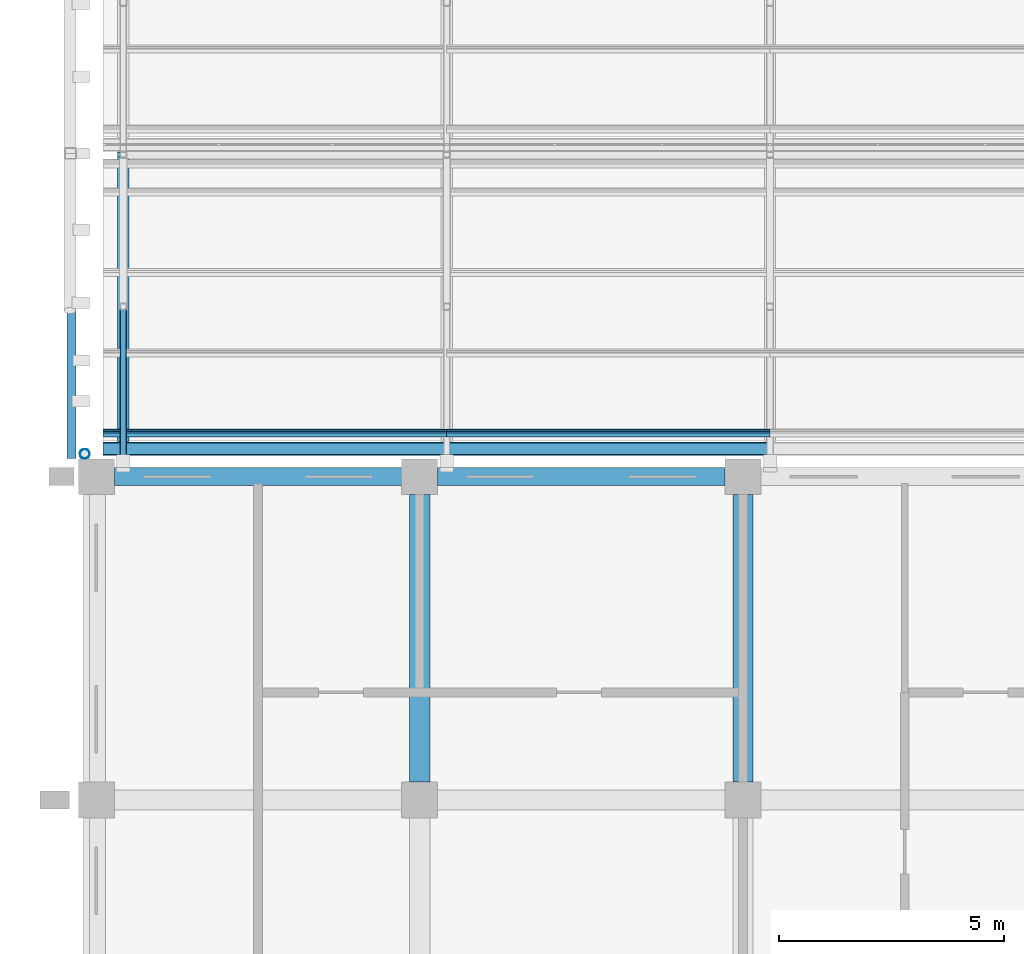
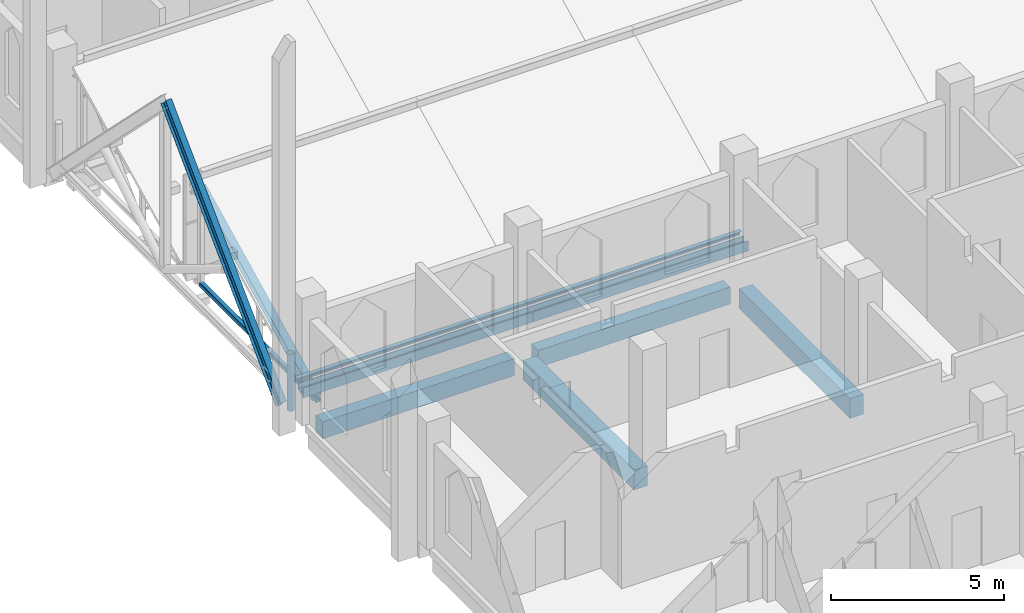
# One storey, part 2 of 29: 8 members, 4 beams.
"""IFC4 building model written with IfcOpenShell, lengths in metres."""

import ifcopenshell
import ifcopenshell.guid

model = None  # the IFC model being written
_history = None  # IfcOwnerHistory: only IFC2X3 demands one
_inside = {}  # id of a spatial element -> (the spatial element, [elements in it])
_under = {}  # id of a project, library or spatial element -> (it, [spatial elements below it])
_declared = {}  # id of a project -> (the project, [libraries it declares])
_typed = {}  # id of a type object -> (the type object, [elements of that type])
_made_of = {}  # id of a material, layer set ... -> (it, [elements and type objects made of it])


def new_model(schema):
    """Start an empty IFC model of exactly this schema.

    Asked for "IFC4X3", IfcOpenShell would pick the latest addendum, in which some entities
    have other attributes; the version numbers below select the first issue.
    IFC2X3 requires an IfcOwnerHistory on every rooted entity: one is made here for all.
    """
    global model, _history
    if schema == "IFC4X3":
        model = ifcopenshell.file(schema_version=(4, 3, 0, 0))
    else:
        model = ifcopenshell.file(schema=schema)
    _inside.clear()
    _under.clear()
    _declared.clear()
    _typed.clear()
    _made_of.clear()
    _history = None
    if model.schema == "IFC2X3":
        org = make("IfcOrganization", Name="unknown")
        user = make(
            "IfcPersonAndOrganization",
            ThePerson=make("IfcPerson", FamilyName="unknown"),
            TheOrganization=org,
        )
        app = make(
            "IfcApplication",
            ApplicationDeveloper=org,
            Version="unknown",
            ApplicationFullName="unknown",
            ApplicationIdentifier="unknown",
        )
        _history = make(
            "IfcOwnerHistory",
            OwningUser=user,
            OwningApplication=app,
            ChangeAction="ADDED",
            CreationDate=0,
        )
    return model


def make(cls, **values):
    """One entity of the class cls with the attributes given. An attribute that is None is left unset."""
    return model.create_entity(
        cls, **{name: value for name, value in values.items() if value is not None}
    )


def rooted(cls, **values):
    """An entity with a GlobalId (a new one), such as an element, a storey or a relation."""
    return make(cls, GlobalId=ifcopenshell.guid.new(), OwnerHistory=_history, **values)


def si_unit(unit_type, name, prefix=None):
    """IfcSIUnit, for example si_unit("LENGTHUNIT", "METRE", prefix="MILLI")."""
    return make("IfcSIUnit", UnitType=unit_type, Prefix=prefix, Name=name)


def assignment(units):
    """IfcUnitAssignment: the units of a project."""
    return None if units is None else make("IfcUnitAssignment", Units=units)


def point(xyz):
    """IfcCartesianPoint."""
    return None if xyz is None else make("IfcCartesianPoint", Coordinates=xyz)


def direction(xyz):
    """IfcDirection."""
    return None if xyz is None else make("IfcDirection", DirectionRatios=xyz)


def frame(location, z_axis=None, x_axis=None):
    """IfcAxis2Placement3D, a coordinate frame: its origin and axes. An axis left out is left unset."""
    return make(
        "IfcAxis2Placement3D",
        Location=point(location),
        Axis=direction(z_axis),
        RefDirection=direction(x_axis),
    )


def frame_2d(location, x_axis=None):
    """IfcAxis2Placement2D, a coordinate frame in the plane: its origin and x axis."""
    return make(
        "IfcAxis2Placement2D", Location=point(location), RefDirection=direction(x_axis)
    )


def origin():
    """The frame at (0, 0, 0) with its axes left unset."""
    return frame((0.0, 0.0, 0.0))


def origin_2d():
    """The frame at (0, 0) in the plane with its x axis left unset."""
    return frame_2d((0.0, 0.0))


def place(relative_to, where):
    """IfcLocalPlacement: puts the frame where relative to a parent placement (None: the world)."""
    return make(
        "IfcLocalPlacement", PlacementRelTo=relative_to, RelativePlacement=where
    )


def context(
    kind, dimensions, precision=None, world=None, true_north=None, identifier=None
):
    """IfcGeometricRepresentationContext, for example the 3D "Model" context."""
    return make(
        "IfcGeometricRepresentationContext",
        ContextIdentifier=identifier,
        ContextType=kind,
        CoordinateSpaceDimension=dimensions,
        Precision=precision,
        WorldCoordinateSystem=world,
        TrueNorth=true_north,
    )


def subcontext(parent, identifier, kind, view, scale=None):
    """IfcGeometricRepresentationSubContext, for example "Body" below "Model"."""
    return make(
        "IfcGeometricRepresentationSubContext",
        ContextIdentifier=identifier,
        ContextType=kind,
        ParentContext=parent,
        TargetScale=scale,
        TargetView=view,
    )


def project(units=None, contexts=None):
    """IfcProject with its units and contexts."""
    return rooted(
        "IfcProject",
        Name="project",
        RepresentationContexts=contexts,
        UnitsInContext=assignment(units),
    )


def spatial(cls, under=None, at=None, **own):
    """A site, building, storey or space (cls), placed at a placement, below another one or the project."""
    s = rooted(cls, ObjectPlacement=at, **own)
    if under is not None:
        _under.setdefault(under.id(), (under, []))[1].append(s)
    return s


def polyline(points):
    """IfcPolyline through the points."""
    return make("IfcPolyline", Points=[point(p) for p in points])


def profile(cls, at=None, kind="AREA", **sizes):
    """A parametric profile (cls). Its sizes go by their IFC names, for example OverallWidth=200.0."""
    return make(cls, ProfileType=kind, Position=at, **sizes)


def rectangle(**sizes):
    """IfcRectangleProfileDef."""
    return profile("IfcRectangleProfileDef", **sizes)


def hollow_rectangle(**sizes):
    """IfcRectangleHollowProfileDef."""
    return profile("IfcRectangleHollowProfileDef", **sizes)


def hollow_circle(**sizes):
    """IfcCircleHollowProfileDef."""
    return profile("IfcCircleHollowProfileDef", **sizes)


def i_section(**sizes):
    """IfcIShapeProfileDef."""
    return profile("IfcIShapeProfileDef", **sizes)


def outline(outer, holes=None, kind="AREA"):
    """IfcArbitraryClosedProfileDef: a profile drawn as a closed curve; with holes, ...WithVoids."""
    if holes is None:
        return make("IfcArbitraryClosedProfileDef", ProfileType=kind, OuterCurve=outer)
    return make(
        "IfcArbitraryProfileDefWithVoids",
        ProfileType=kind,
        OuterCurve=outer,
        InnerCurves=holes,
    )


def extrude(swept, where, along, depth):
    """IfcExtrudedAreaSolid: the profile swept, set in the frame where, extruded along a direction by depth."""
    return make(
        "IfcExtrudedAreaSolid",
        SweptArea=swept,
        Position=where,
        ExtrudedDirection=direction(along),
        Depth=depth,
    )


def shape(context_of_items, identifier, shape_type, items):
    """IfcShapeRepresentation: the items that make up one representation, for example the "Body"."""
    return make(
        "IfcShapeRepresentation",
        ContextOfItems=context_of_items,
        RepresentationIdentifier=identifier,
        RepresentationType=shape_type,
        Items=items,
    )


def material(Name=None, Category=None):
    """IfcMaterial."""
    return make("IfcMaterial", Name=Name, Category=Category)


def material_profile(
    of_material, cross_section, Name=None, Category=None, Priority=None
):
    """IfcMaterialProfile: a cross section and its material."""
    return make(
        "IfcMaterialProfile",
        Name=Name,
        Material=of_material,
        Profile=cross_section,
        Priority=Priority,
        Category=Category,
    )


def profile_set(profiles, Name=None, composite=None):
    """IfcMaterialProfileSet."""
    return make(
        "IfcMaterialProfileSet",
        Name=Name,
        MaterialProfiles=profiles,
        CompositeProfile=composite,
    )


def made_of(thing, what):
    """Note that an element or type object is made of a material, layer set ...; save() writes the relation."""
    if what is not None:
        _made_of.setdefault(what.id(), (what, []))[1].append(thing)
    return thing


def type_object(cls, material=None, **own):
    """A type object (cls), such as IfcWallType, which elements share."""
    return made_of(rooted(cls, **own), material)


def element(
    cls,
    number,
    at=None,
    inside=None,
    cuts=None,
    type_object=None,
    material=None,
    context=None,
    identifier="Body",
    shape_type=None,
    held_by="IfcProductDefinitionShape",
    body=None,
    shapes=None,
    **own,
):
    """One element of the class cls, such as IfcWall. Its Tag is "e" and its number.

    at: its placement. inside: the storey or other place that contains it. cuts: it is an
    opening in that element (IfcRelVoidsElement). A single representation is given by context,
    identifier, shape_type and body (its items); several are given by shapes. held_by: the class
    of the entity that holds the representations. save() writes the other relations.
    """
    e = rooted(cls, Tag="e%d" % number, ObjectPlacement=at, **own)
    if body is not None:
        shapes = [shape(context, identifier, shape_type, body)]
    if shapes is not None:
        e.Representation = make(held_by, Representations=shapes)
    if inside is not None:
        _inside.setdefault(inside.id(), (inside, []))[1].append(e)
    if cuts is not None:
        rooted(
            "IfcRelVoidsElement", RelatingBuildingElement=cuts, RelatedOpeningElement=e
        )
    if type_object is not None:
        _typed.setdefault(type_object.id(), (type_object, []))[1].append(e)
    return made_of(e, material)


def aggregate(whole, parts):
    """IfcRelAggregates: a whole, such as a stair, and the parts it consists of."""
    return rooted("IfcRelAggregates", RelatingObject=whole, RelatedObjects=parts)


def save(model, path):
    """Write the relations noted so far, then the file.

    IfcRelAggregates (storeys below a building ...), IfcRelContainedInSpatialStructure (elements
    in a storey), IfcRelDefinesByType, IfcRelAssociatesMaterial and IfcRelDeclares: one each for
    every whole, place, type object, material and project.
    """
    for whole, parts in _under.values():
        aggregate(whole, parts)
    for where, things in _inside.values():
        rooted(
            "IfcRelContainedInSpatialStructure",
            RelatedElements=things,
            RelatingStructure=where,
        )
    for kind, things in _typed.values():
        rooted("IfcRelDefinesByType", RelatedObjects=things, RelatingType=kind)
    for what, things in _made_of.values():
        rooted("IfcRelAssociatesMaterial", RelatedObjects=things, RelatingMaterial=what)
    for by, libraries in _declared.values():
        rooted("IfcRelDeclares", RelatingContext=by, RelatedDefinitions=libraries)
    model.write(path)


model = new_model("IFC4")

# Units and contexts
model_context = context("Model", 3, precision=1e-05, world=origin(), true_north=direction((0.0, 1.0)))
body_context = subcontext(model_context, "Body", "Model", "MODEL_VIEW")
ifc_project = project(units=[si_unit("LENGTHUNIT", "METRE"), si_unit("AREAUNIT", "SQUARE_METRE"), si_unit("VOLUMEUNIT", "CUBIC_METRE"), si_unit("PLANEANGLEUNIT", "RADIAN"), si_unit("MASSUNIT", "GRAM", prefix="KILO")], contexts=[model_context])

# Site, building, storey
site_placement = place(None, origin())
site = spatial("IfcSite", under=ifc_project, at=site_placement, CompositionType="ELEMENT")
building_placement = place(site_placement, origin())
building = spatial("IfcBuilding", under=site, at=building_placement, Name="Silangan Lancet Faculty of Sciences", CompositionType="ELEMENT")
storey_placement = place(building_placement, frame((0.0, 0.0, 40.800048828125)))
storey = spatial("IfcBuildingStorey", under=building, at=storey_placement, Name="L08", CompositionType="ELEMENT", Elevation=40.800048828125)

# Beams
ifc_material_1 = material(Name="Concrete C40/50", Category="concrete")
ifc_material_profile_1 = material_profile(ifc_material_1, rectangle(XDim=0.39990234375, YDim=0.60009765625, at=origin_2d()), Name="RC 400x600")
ifc_profile_set_1 = profile_set([ifc_material_profile_1], Name="Concrete C40/50")
beam_type_1 = type_object("IfcBeamType", Name="BEAM RC 400x600", PredefinedType="BEAM", material=ifc_profile_set_1)
beam_1_placement = place(storey_placement, frame((0.39990234375, 21.60009765625, -0.550048828125), z_axis=(1.0, 0.0, 0.0), x_axis=(0.0, 1.0, 0.0)))
element("IfcBeam", 1, at=beam_1_placement, inside=storey, type_object=beam_type_1, Name="BM-L08-1D-2D", PredefinedType="BEAM", context=body_context, shape_type="SweptSolid", body=[
    extrude(rectangle(XDim=0.39990234375, YDim=0.60009765625, at=origin_2d()), origin(), (0.0, 0.0, 1.0), 6.400146484375),
])
beam_2_placement = place(storey_placement, frame((7.60009765625, 21.60009765625, -0.550048828125), z_axis=(1.0, 0.0, 0.0), x_axis=(0.0, 1.0, 0.0)))
element("IfcBeam", 2, at=beam_2_placement, inside=storey, type_object=beam_type_1, Name="BM-L08-2D-3D", PredefinedType="BEAM", context=body_context, shape_type="SweptSolid", body=[
    extrude(rectangle(XDim=0.39990234375, YDim=0.60009765625, at=origin_2d()), origin(), (0.0, 0.0, 1.0), 6.39990234375),
])
ifc_material_2 = material(Name="Concrete C40/50", Category="concrete")
ifc_material_profile_2 = material_profile(ifc_material_2, rectangle(XDim=0.449951171875, YDim=0.699951171875, at=origin_2d()), Name="RC 450x700")
ifc_profile_set_2 = profile_set([ifc_material_profile_2], Name="Concrete C40/50")
beam_type_2 = type_object("IfcBeamType", Name="BEAM RC 450x700", PredefinedType="BEAM", material=ifc_profile_set_2)
for number, where, z_axis, x_axis, name in (
    (3, (7.199951171875, 14.800048828125, -0.60009765625), (0.0, 1.0, 0.0), (-1.0, 0.0, 0.0), "BM-L08-2C-2D"),
    (4, (14.39990234375, 14.800048828125, -0.60009765625), (0.0, 1.0, 0.0), (-1.0, 0.0, 0.0), "BM-L08-3C-3D"),
):
    element("IfcBeam", number, at=place(storey_placement, frame(where, z_axis=z_axis, x_axis=x_axis)), inside=storey, type_object=beam_type_2, Name=name, PredefinedType="BEAM", context=body_context, shape_type="SweptSolid", body=[
        extrude(rectangle(XDim=0.449951171875, YDim=0.699951171875, at=origin_2d()), origin(), (0.0, 0.0, 1.0), 6.39990234375),
    ])

# Members
ifc_material_3 = material(Name="Steel SS400", Category="steel")
ifc_material_profile_3 = material_profile(ifc_material_3, i_section(OverallWidth=0.199951171875, OverallDepth=0.39990234375, WebThickness=0.008056640625, FlangeThickness=0.012939453125, FilletRadius=0.01611328125, at=origin_2d()), Name="H 400x200x8x13")
ifc_profile_set_3 = profile_set([ifc_material_profile_3], Name="Steel SS400")
member_type_1 = type_object("IfcMemberType", Name="Gable truss rafter H 400x200x8x13", PredefinedType="RAFTER", material=ifc_profile_set_3)
member_1_placement = place(storey_placement, frame((-0.550048828125, 22.14990234375, 0.26708984375), z_axis=(0.0, 0.707106781187, 0.707106781187), x_axis=(-1.0, 0.0, 0.0)))
element("IfcMember", 5, at=member_1_placement, inside=storey, type_object=member_type_1, Name="Gable truss rafter A", PredefinedType="RAFTER", context=body_context, shape_type="SweptSolid", body=[
    extrude(i_section(OverallWidth=0.199951171875, OverallDepth=0.39990234375, WebThickness=0.008056640625, FlangeThickness=0.012939453125, FilletRadius=0.01611328125, at=origin_2d()), origin(), (0.0, 0.0, 1.0), 9.40478515625),
])
ifc_material_4 = material(Name="Steel STK400", Category="steel")
ifc_material_profile_4 = material_profile(ifc_material_4, hollow_circle(Radius=0.108154296875, WallThickness=0.006103515625, at=origin_2d()), Name="CHS 216.3x6.0")
ifc_profile_set_4 = profile_set([ifc_material_profile_4], Name="Steel STK400")
member_type_2 = type_object("IfcMemberType", Name="Pinnacle gable CHS 216.3x6.0", PredefinedType="USERDEFINED", material=ifc_profile_set_4)
member_2_placement = place(storey_placement, frame((-0.258056640625, 22.108154296875, 0.0), z_axis=(0.0, 0.0, 1.0), x_axis=(1.0, 0.0, 0.0)))
element("IfcMember", 6, at=member_2_placement, inside=storey, type_object=member_type_2, Name="Gable pinnacle west S", ObjectType="PINNACLE", PredefinedType="USERDEFINED", context=body_context, shape_type="SweptSolid", body=[
    extrude(hollow_circle(Radius=0.108154296875, WallThickness=0.006103515625, at=origin_2d()), origin(), (0.0, 0.0, 1.0), 2.0),
])
ifc_material_5 = material(Name="Steel SS400", Category="steel")
ifc_material_profile_5 = material_profile(ifc_material_5, i_section(OverallWidth=0.10009765625, OverallDepth=0.199951171875, WebThickness=0.005615234375, FlangeThickness=0.008056640625, FilletRadius=0.008056640625, at=origin_2d()), Name="H 200x100x5.5x8")
ifc_profile_set_5 = profile_set([ifc_material_profile_5], Name="Steel SS400")
member_type_3 = type_object("IfcMemberType", Name="Sheeting purlin H 200x100x5.5x8", PredefinedType="PURLIN", material=ifc_profile_set_5)
member_3_placement = place(storey_placement, frame((0.14990234375, 22.5703125, 0.631591796875), z_axis=(1.0, 0.0, 0.0), x_axis=(0.0, 0.894427192382, 0.447213592736)))
element("IfcMember", 7, at=member_3_placement, inside=storey, type_object=member_type_3, Name="Sheeting purlin ATRIUM-1-1 1", PredefinedType="PURLIN", context=body_context, shape_type="SweptSolid", body=[
    extrude(i_section(OverallWidth=0.10009765625, OverallDepth=0.199951171875, WebThickness=0.005615234375, FlangeThickness=0.008056640625, FilletRadius=0.008056640625, at=origin_2d()), origin(), (0.0, 0.0, 1.0), 7.650146484375),
])
member_4_placement = place(storey_placement, frame((7.800048828125, 22.5703125, 0.631591796875), z_axis=(1.0, 0.0, 0.0), x_axis=(0.0, 0.894427192382, 0.447213592736)))
element("IfcMember", 8, at=member_4_placement, inside=storey, type_object=member_type_3, Name="Sheeting purlin ATRIUM-1-2 1", PredefinedType="PURLIN", context=body_context, shape_type="SweptSolid", body=[
    extrude(i_section(OverallWidth=0.10009765625, OverallDepth=0.199951171875, WebThickness=0.005615234375, FlangeThickness=0.008056640625, FilletRadius=0.008056640625, at=origin_2d()), origin(), (0.0, 0.0, 1.0), 7.199951171875),
])
ifc_material_6 = material(Name="Steel STKR400", Category="steel")
ifc_material_profile_6 = material_profile(ifc_material_6, hollow_rectangle(XDim=0.14990234375, YDim=0.14990234375, WallThickness=0.009033203125, InnerFilletRadius=0.009033203125, OuterFilletRadius=0.01806640625, at=origin_2d()), Name="SHS 150x150x9.0")
ifc_profile_set_6 = profile_set([ifc_material_profile_6], Name="Steel STKR400")
member_type_4 = type_object("IfcMemberType", Name="Truss bottom chord SHS 150x150x9.0", PredefinedType="CHORD", material=ifc_profile_set_6)
member_5_placement = place(storey_placement, frame((0.60009765625, 22.0, 0.094970703125), z_axis=(0.0, 1.0, 0.0), x_axis=(-1.0, 0.0, 0.0)))
element("IfcMember", 9, at=member_5_placement, inside=storey, type_object=member_type_4, Name="Truss 1 bottom chord 1", PredefinedType="CHORD", context=body_context, shape_type="SweptSolid", body=[
    extrude(hollow_rectangle(XDim=0.14990234375, YDim=0.14990234375, WallThickness=0.009033203125, InnerFilletRadius=0.009033203125, OuterFilletRadius=0.01806640625, at=origin_2d()), origin(), (0.0, 0.0, 1.0), 6.77001953125),
])
ifc_material_7 = material(Name="Steel SS400", Category="steel")
ifc_material_profile_7 = material_profile(ifc_material_7, i_section(OverallWidth=0.25, OverallDepth=0.25, WebThickness=0.009033203125, FlangeThickness=0.013916015625, FilletRadius=0.01611328125, at=origin_2d()), Name="H 250x250x9x14")
ifc_profile_set_7 = profile_set([ifc_material_profile_7], Name="Steel SS400")
member_type_5 = type_object("IfcMemberType", Name="Truss top chord H 250x250x9x14", PredefinedType="CHORD", material=ifc_profile_set_7)
member_6_placement = place(storey_placement, frame((0.60009765625, 22.08056640625, 0.13525390625), z_axis=(0.0, 0.894427191, 0.4472135955), x_axis=(-1.0, 0.0, 0.0)))
element("IfcMember", 10, at=member_6_placement, inside=storey, type_object=member_type_5, Name="Truss 1 top chord 1", PredefinedType="CHORD", context=body_context, shape_type="SweptSolid", body=[
    extrude(i_section(OverallWidth=0.25, OverallDepth=0.25, WebThickness=0.009033203125, FlangeThickness=0.013916015625, FilletRadius=0.01611328125, at=origin_2d()), origin(), (0.0, 0.0, 1.0), 7.47900390625),
])
ifc_material_8 = material(Name="Stainless steel", Category="steel")
ifc_material_profile_8 = material_profile(ifc_material_8, outline(polyline([(-0.14990234375, 0.0), (0.14990234375, 0.14990234375), (0.14990234375, 0.35009765625), (0.1298828125, 0.35009765625), (0.1298828125, 0.169921875), (-0.1298828125, 0.169921875), (-0.1298828125, 0.35009765625), (-0.14990234375, 0.35009765625), (-0.14990234375, 0.0)])), Name="valley gutter")
ifc_profile_set_8 = profile_set([ifc_material_profile_8], Name="Stainless steel")
member_type_6 = type_object("IfcMemberType", Name="Valley gutter 300 wide", PredefinedType="USERDEFINED", material=ifc_profile_set_8)
member_7_placement = place(storey_placement, frame((0.14990234375, 22.22509765625, 0.272216796875), z_axis=(1.0, 0.0, 0.0), x_axis=(0.0, 1.0, 0.0)))
element("IfcMember", 11, at=member_7_placement, inside=storey, type_object=member_type_6, Name="Valley gutter ATRIUM-1-1", ObjectType="GUTTER", PredefinedType="USERDEFINED", context=body_context, shape_type="SweptSolid", body=[
    extrude(outline(polyline([(-0.14990234375, 0.0), (0.14990234375, 0.14990234375), (0.14990234375, 0.35009765625), (0.1298828125, 0.35009765625), (0.1298828125, 0.169921875), (-0.1298828125, 0.169921875), (-0.1298828125, 0.35009765625), (-0.14990234375, 0.35009765625), (-0.14990234375, 0.0)])), origin(), (0.0, 0.0, 1.0), 7.650146484375),
])
member_8_placement = place(storey_placement, frame((7.800048828125, 22.22509765625, 0.272216796875), z_axis=(1.0, 0.0, 0.0), x_axis=(0.0, 1.0, 0.0)))
element("IfcMember", 12, at=member_8_placement, inside=storey, type_object=member_type_6, Name="Valley gutter ATRIUM-1-2", ObjectType="GUTTER", PredefinedType="USERDEFINED", context=body_context, shape_type="SweptSolid", body=[
    extrude(outline(polyline([(-0.14990234375, 0.0), (0.14990234375, 0.14990234375), (0.14990234375, 0.35009765625), (0.1298828125, 0.35009765625), (0.1298828125, 0.169921875), (-0.1298828125, 0.169921875), (-0.1298828125, 0.35009765625), (-0.14990234375, 0.35009765625), (-0.14990234375, 0.0)])), origin(), (0.0, 0.0, 1.0), 7.199951171875),
])

save(model, "model.ifc")
